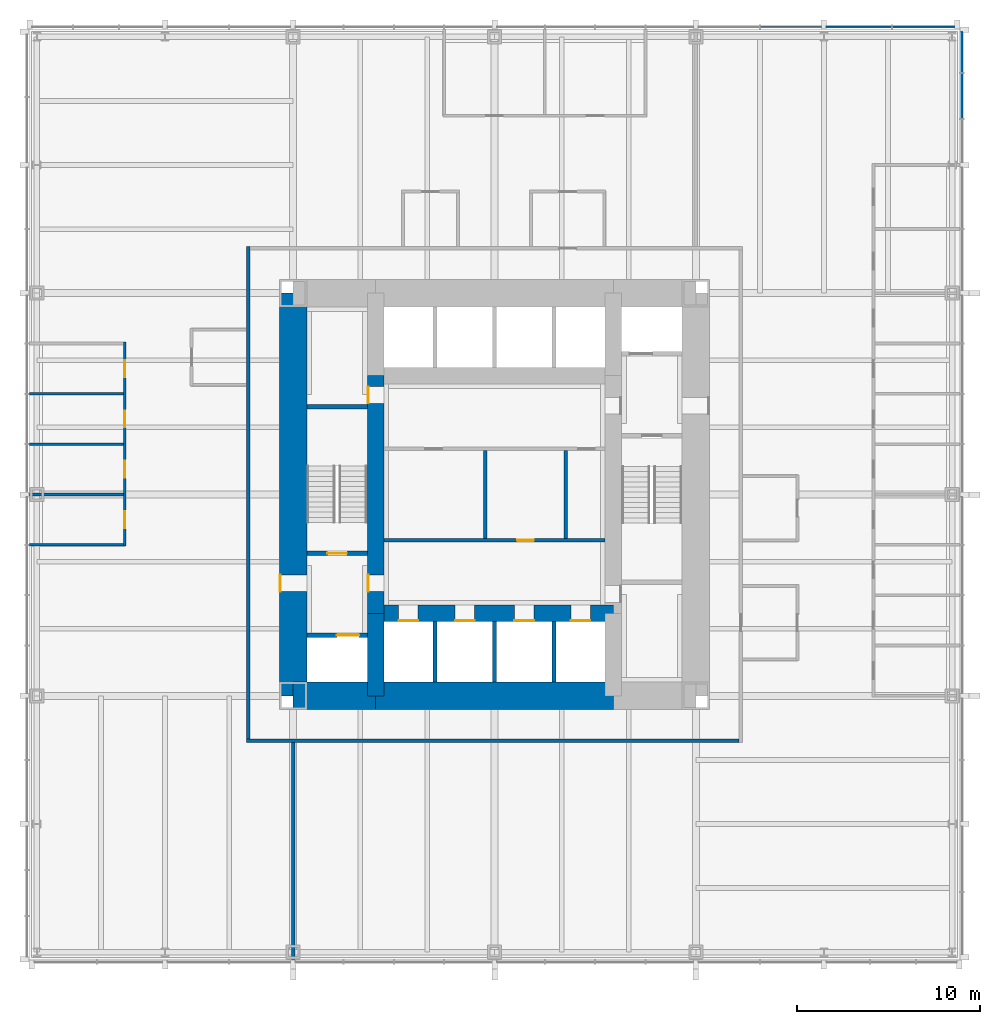
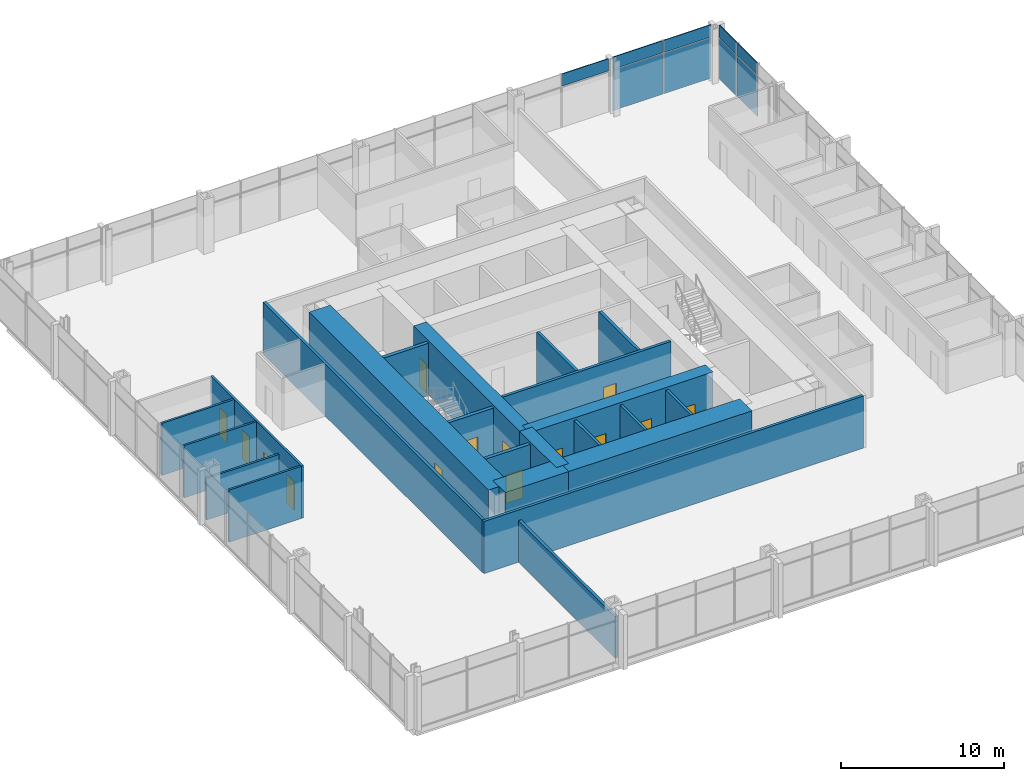
# One storey, part 9 of 12: 23 walls, 14 doors, 9 plates, 14 openings, 2 elements without a shape of their own.
"""IFC4 building model written with IfcOpenShell, lengths in metres."""

from ifc_helpers import new_model, si_unit, direction, frame, frame_2d, origin, origin_2d, place, context, subcontext, project, spatial, rectangle, extrude, material, layer, layer_set, type_object, element, fill, aggregate, save


model = new_model("IFC4")

# Units and contexts
model_context = context("Model", 3, precision=1e-05, world=origin(), true_north=direction((0.0, 1.0)))
body_context = subcontext(model_context, "Body", "Model", "MODEL_VIEW")
ifc_project = project(units=[si_unit("LENGTHUNIT", "METRE"), si_unit("AREAUNIT", "SQUARE_METRE"), si_unit("VOLUMEUNIT", "CUBIC_METRE"), si_unit("PLANEANGLEUNIT", "RADIAN"), si_unit("MASSUNIT", "GRAM", prefix="KILO")], contexts=[model_context])

# Site, building, storey
site_placement = place(None, origin())
site = spatial("IfcSite", under=ifc_project, at=site_placement, CompositionType="ELEMENT")
building_placement = place(site_placement, origin())
building = spatial("IfcBuilding", under=site, at=building_placement, Name="Trevanion Tower", CompositionType="ELEMENT")
storey_placement = place(building_placement, frame((0.0, 0.0, 48.800048828125)))
storey = spatial("IfcBuildingStorey", under=building, at=storey_placement, Name="L11", CompositionType="ELEMENT", Elevation=48.800048828125)

# Curtain wall, plates
ifc_material_1 = material(Name="Aluminium and glass", Category="aluminium")
curtain_wall_type = type_object("IfcCurtainWallType", Name="CW1 curtain wall", PredefinedType="USERDEFINED", material=ifc_material_1)
curtain_wall_1_placement = place(storey_placement, origin())
curtain_wall_1 = element("IfcCurtainWall", 1, at=curtain_wall_1_placement, inside=storey, type_object=curtain_wall_type, Name="CW1 L11 0", ObjectType="UNITISED CURTAIN WALL", PredefinedType="USERDEFINED")
ifc_material_2 = material(Name="Aluminium spandrel panel", Category="aluminium")
ifc_layer_1 = layer(ifc_material_2, 0.06005859375)
ifc_layer_set_1 = layer_set([ifc_layer_1], Name="CW1 spandrel panel")
plate_type_1 = type_object("IfcPlateType", Name="CW1 spandrel panel", PredefinedType="CURTAIN_PANEL", material=ifc_layer_set_1)
plate_1_placement = place(storey_placement, frame((25.550048828125, 21.77490234375, 2.997314453125), z_axis=(0.0, 0.0, 1.0), x_axis=(0.0, 1.0, 0.0)))
plate_1 = element("IfcPlate", 2, at=plate_1_placement, type_object=plate_type_1, Name="CW1 panel 16.2", PredefinedType="CURTAIN_PANEL", context=body_context, shape_type="SweptSolid", body=[
    extrude(rectangle(XDim=2.441650390625, YDim=0.06005859375, at=origin_2d()), origin(), (0.0, 0.0, 1.0), 0.91259765625),
])
plate_2_placement = place(storey_placement, frame((25.550048828125, 24.160400390625, 2.997314453125), z_axis=(0.0, 0.0, 1.0), x_axis=(0.0, 1.0, 0.0)))
plate_2 = element("IfcPlate", 3, at=plate_2_placement, type_object=plate_type_1, Name="CW1 panel 17.2", PredefinedType="CURTAIN_PANEL", context=body_context, shape_type="SweptSolid", body=[
    extrude(rectangle(XDim=2.17919921875, YDim=0.06005859375, at=origin_2d()), origin(), (0.0, 0.0, 1.0), 0.91259765625),
])

curtain_wall_2_placement = place(storey_placement, origin())
curtain_wall_2 = element("IfcCurtainWall", 4, at=curtain_wall_2_placement, inside=storey, type_object=curtain_wall_type, Name="CW1 L11 1", ObjectType="UNITISED CURTAIN WALL", PredefinedType="USERDEFINED")
plate_3_placement = place(storey_placement, frame((23.433837890625, 25.550048828125, 2.997314453125), z_axis=(0.0, 0.0, 1.0), x_axis=(-1.0, 0.0, 0.0)))
plate_3 = element("IfcPlate", 5, at=plate_3_placement, type_object=plate_type_1, Name="CW1 panel 1.2", PredefinedType="CURTAIN_PANEL", context=body_context, shape_type="SweptSolid", body=[
    extrude(rectangle(XDim=3.37255859375, YDim=0.06005859375, at=origin_2d()), origin(), (0.0, 0.0, 1.0), 0.91259765625),
])
plate_4_placement = place(storey_placement, frame((19.911376953125, 25.550048828125, 2.997314453125), z_axis=(0.0, 0.0, 1.0), x_axis=(-1.0, 0.0, 0.0)))
plate_4 = element("IfcPlate", 6, at=plate_4_placement, type_object=plate_type_1, Name="CW1 panel 2.2", PredefinedType="CURTAIN_PANEL", context=body_context, shape_type="SweptSolid", body=[
    extrude(rectangle(XDim=3.5224609375, YDim=0.06005859375, at=origin_2d()), origin(), (0.0, 0.0, 1.0), 0.91259765625),
])
plate_5_placement = place(storey_placement, frame((16.19384765625, 25.550048828125, 2.997314453125), z_axis=(0.0, 0.0, 1.0), x_axis=(-1.0, 0.0, 0.0)))
plate_5 = element("IfcPlate", 7, at=plate_5_placement, type_object=plate_type_1, Name="CW1 panel 3.2", PredefinedType="CURTAIN_PANEL", context=body_context, shape_type="SweptSolid", body=[
    extrude(rectangle(XDim=3.3125, YDim=0.06005859375, at=origin_2d()), origin(), (0.0, 0.0, 1.0), 0.91259765625),
])

# Plate
ifc_material_3 = material(Name="Insulating glass unit", Category="glass")
ifc_layer_2 = layer(ifc_material_3, 0.028076171875)
ifc_layer_set_2 = layer_set([ifc_layer_2], Name="CW1 vision panel")
plate_type_2 = type_object("IfcPlateType", Name="CW1 vision panel", PredefinedType="CURTAIN_PANEL", material=ifc_layer_set_2)
plate_6_placement = place(storey_placement, frame((25.550048828125, 21.77490234375, -0.115234375), z_axis=(0.0, 0.0, 1.0), x_axis=(0.0, 1.0, 0.0)))
plate_6 = element("IfcPlate", 8, at=plate_6_placement, type_object=plate_type_2, Name="CW1 panel 16.1", PredefinedType="CURTAIN_PANEL", context=body_context, shape_type="SweptSolid", body=[
    extrude(rectangle(XDim=2.441650390625, YDim=0.028076171875, at=origin_2d()), origin(), (0.0, 0.0, 1.0), 3.03759765625),
])

plate_7_placement = place(storey_placement, frame((25.550048828125, 24.160400390625, -0.115234375), z_axis=(0.0, 0.0, 1.0), x_axis=(0.0, 1.0, 0.0)))
plate_7 = element("IfcPlate", 9, at=plate_7_placement, type_object=plate_type_2, Name="CW1 panel 17.1", PredefinedType="CURTAIN_PANEL", context=body_context, shape_type="SweptSolid", body=[
    extrude(rectangle(XDim=2.17919921875, YDim=0.028076171875, at=origin_2d()), origin(), (0.0, 0.0, 1.0), 3.03759765625),
])

aggregate(curtain_wall_1, [plate_6, plate_1, plate_7, plate_2])

plate_8_placement = place(storey_placement, frame((23.433837890625, 25.550048828125, -0.115234375), z_axis=(0.0, 0.0, 1.0), x_axis=(-1.0, 0.0, 0.0)))
plate_8 = element("IfcPlate", 10, at=plate_8_placement, type_object=plate_type_2, Name="CW1 panel 1.1", PredefinedType="CURTAIN_PANEL", context=body_context, shape_type="SweptSolid", body=[
    extrude(rectangle(XDim=3.37255859375, YDim=0.028076171875, at=origin_2d()), origin(), (0.0, 0.0, 1.0), 3.03759765625),
])

plate_9_placement = place(storey_placement, frame((19.911376953125, 25.550048828125, -0.115234375), z_axis=(0.0, 0.0, 1.0), x_axis=(-1.0, 0.0, 0.0)))
plate_9 = element("IfcPlate", 11, at=plate_9_placement, type_object=plate_type_2, Name="CW1 panel 2.1", PredefinedType="CURTAIN_PANEL", context=body_context, shape_type="SweptSolid", body=[
    extrude(rectangle(XDim=3.5224609375, YDim=0.028076171875, at=origin_2d()), origin(), (0.0, 0.0, 1.0), 3.03759765625),
])

aggregate(curtain_wall_2, [plate_8, plate_3, plate_9, plate_4, plate_5])

# Wall, opening, door
ifc_material_4 = material(Name="Concrete 10,000 psi", Category="concrete")
ifc_layer_3 = layer(ifc_material_4, 1.5)
ifc_layer_set_3 = layer_set([ifc_layer_3], Name="CW1 core wall 1500")
wall_type_1 = type_object("IfcWallType", Name="CW1 core wall 1500", PredefinedType="SHEAR", material=ifc_layer_set_3)
wall_1_placement = place(storey_placement, frame((-11.0, 11.0, 0.0), z_axis=(0.0, 0.0, 1.0), x_axis=(0.0, -1.0, 0.0)))
wall_1 = element("IfcWall", 12, at=wall_1_placement, inside=storey, type_object=wall_type_1, Name="CW1 CW L11", PredefinedType="SHEAR", context=body_context, shape_type="SweptSolid", body=[
    extrude(rectangle(XDim=22.0, YDim=1.5, at=frame_2d((11.0, 0.0))), origin(), (0.0, 0.0, 1.0), 4.099853515625),
])
opening_1_placement = place(wall_1_placement, frame((15.392578125, 0.0, 0.0)))
opening_1 = element("IfcOpeningElement", 13, at=opening_1_placement, cuts=wall_1, Name="Opening 11-002", PredefinedType="OPENING", context=body_context, shape_type="SweptSolid", body=[
    extrude(rectangle(XDim=0.9150390625, YDim=2.134033203125, at=frame_2d((0.45751953125, 1.06689453125))), frame((0.0, 0.760009765625, 0.0), z_axis=(0.0, -1.0, 0.0), x_axis=(1.0, 0.0, 0.0)), (0.0, 0.0, 1.0), 1.52001953125),
])
ifc_material_5 = material(Name="Hollow metal, fire rated", Category="steel")
door_type_1 = type_object("IfcDoorType", Name="D3 fire lift lobby door", OperationType="SINGLE_SWING_RIGHT", PredefinedType="DOOR", material=ifc_material_5)
door_1_placement = place(opening_1_placement, origin())
door_1 = element("IfcDoor", 14, at=door_1_placement, inside=storey, type_object=door_type_1, Name="Door 11-002", OperationType="SINGLE_SWING_RIGHT", OverallHeight=2.134033203125, OverallWidth=0.9150390625, PredefinedType="DOOR", context=body_context, shape_type="SweptSolid", body=[
    extrude(rectangle(XDim=0.9150390625, YDim=2.134033203125, at=frame_2d((0.45751953125, 1.06689453125))), frame((0.0, -0.6748046875, 0.0), z_axis=(0.0, -1.0, 0.0), x_axis=(1.0, 0.0, 0.0)), (0.0, 0.0, 1.0), 0.050048828125),
])
fill(opening_1, door_1)

# Walls
wall_2_placement = place(storey_placement, frame((-11.0, -11.0, 0.0), z_axis=(0.0, 0.0, 1.0), x_axis=(1.0, 0.0, 0.0)))
element("IfcWall", 15, at=wall_2_placement, inside=storey, type_object=wall_type_1, Name="CW1 CS1 L11", PredefinedType="SHEAR", context=body_context, shape_type="SweptSolid", body=[
    extrude(rectangle(XDim=4.5, YDim=1.5, at=frame_2d((2.25, 0.0))), origin(), (0.0, 0.0, 1.0), 4.099853515625),
])
wall_3_placement = place(storey_placement, frame((-6.5, -11.0, 0.0), z_axis=(0.0, 0.0, 1.0), x_axis=(1.0, 0.0, 0.0)))
element("IfcWall", 16, at=wall_3_placement, inside=storey, type_object=wall_type_1, Name="CW1 CS2 L11", PredefinedType="SHEAR", context=body_context, shape_type="SweptSolid", body=[
    extrude(rectangle(XDim=13.0, YDim=1.5, at=frame_2d((6.5, 0.0))), origin(), (0.0, 0.0, 1.0), 4.099853515625),
])

# Wall, openings, doors
ifc_material_6 = material(Name="Concrete 10,000 psi", Category="concrete")
ifc_layer_4 = layer(ifc_material_6, 0.89990234375)
ifc_layer_set_4 = layer_set([ifc_layer_4], Name="CW2 core wall 900")
wall_type_2 = type_object("IfcWallType", Name="CW2 core wall 900", PredefinedType="SHEAR", material=ifc_layer_set_4)
wall_4_placement = place(storey_placement, frame((-6.5, 6.5, 0.0), z_axis=(0.0, 0.0, 1.0), x_axis=(0.0, -1.0, 0.0)))
wall_4 = element("IfcWall", 17, at=wall_4_placement, inside=storey, type_object=wall_type_2, Name="CW2 RW2 L11", PredefinedType="SHEAR", context=body_context, shape_type="SweptSolid", body=[
    extrude(rectangle(XDim=13.0, YDim=0.89990234375, at=frame_2d((6.5, 0.0))), origin(), (0.0, 0.0, 1.0), 4.099853515625),
])
opening_2_placement = place(wall_4_placement, frame((10.892578125, 0.0, 0.0)))
opening_2 = element("IfcOpeningElement", 18, at=opening_2_placement, cuts=wall_4, Name="Opening 11-004", PredefinedType="OPENING", context=body_context, shape_type="SweptSolid", body=[
    extrude(rectangle(XDim=0.9150390625, YDim=2.134033203125, at=frame_2d((0.45751953125, 1.06689453125))), frame((0.0, 0.4599609375, 0.0), z_axis=(0.0, -1.0, 0.0), x_axis=(1.0, 0.0, 0.0)), (0.0, 0.0, 1.0), 0.919921875),
])
opening_3_placement = place(wall_4_placement, frame((0.610107421875, 0.0, 0.0)))
opening_3 = element("IfcOpeningElement", 19, at=opening_3_placement, cuts=wall_4, Name="Opening 11-010", PredefinedType="OPENING", context=body_context, shape_type="SweptSolid", body=[
    extrude(rectangle(XDim=0.9150390625, YDim=2.134033203125, at=frame_2d((0.45751953125, 1.06689453125))), frame((0.0, 0.4599609375, 0.0), z_axis=(0.0, -1.0, 0.0), x_axis=(1.0, 0.0, 0.0)), (0.0, 0.0, 1.0), 0.919921875),
])
door_2_placement = place(opening_2_placement, origin())
door_2 = element("IfcDoor", 20, at=door_2_placement, inside=storey, type_object=door_type_1, Name="Door 11-004", OperationType="SINGLE_SWING_RIGHT", OverallHeight=2.134033203125, OverallWidth=0.9150390625, PredefinedType="DOOR", context=body_context, shape_type="SweptSolid", body=[
    extrude(rectangle(XDim=0.9150390625, YDim=2.134033203125, at=frame_2d((0.45751953125, 1.06689453125))), frame((0.0, -0.375, 0.0), z_axis=(0.0, -1.0, 0.0), x_axis=(1.0, 0.0, 0.0)), (0.0, 0.0, 1.0), 0.050048828125),
])
fill(opening_2, door_2)
ifc_material_7 = material(Name="Hollow metal, fire rated", Category="steel")
door_type_2 = type_object("IfcDoorType", Name="D5 service room door", OperationType="SINGLE_SWING_RIGHT", PredefinedType="DOOR", material=ifc_material_7)
door_3_placement = place(opening_3_placement, origin())
door_3 = element("IfcDoor", 21, at=door_3_placement, inside=storey, type_object=door_type_2, Name="Door 11-010", OperationType="SINGLE_SWING_RIGHT", OverallHeight=2.134033203125, OverallWidth=0.9150390625, PredefinedType="DOOR", context=body_context, shape_type="SweptSolid", body=[
    extrude(rectangle(XDim=0.9150390625, YDim=2.134033203125, at=frame_2d((0.45751953125, 1.06689453125))), frame((0.0, -0.375, 0.0), z_axis=(0.0, -1.0, 0.0), x_axis=(1.0, 0.0, 0.0)), (0.0, 0.0, 1.0), 0.050048828125),
])
fill(opening_3, door_3)

# Wall
wall_5_placement = place(storey_placement, frame((-6.5, -6.5, 0.0), z_axis=(0.0, 0.0, 1.0), x_axis=(0.0, -1.0, 0.0)))
element("IfcWall", 22, at=wall_5_placement, inside=storey, type_object=wall_type_2, Name="CW2 RW3 L11", PredefinedType="SHEAR", context=body_context, shape_type="SweptSolid", body=[
    extrude(rectangle(XDim=4.5, YDim=0.89990234375, at=frame_2d((2.25, 0.0))), origin(), (0.0, 0.0, 1.0), 4.099853515625),
])

# Wall, openings, doors
wall_6_placement = place(storey_placement, frame((-6.5, -6.5, 0.0), z_axis=(0.0, 0.0, 1.0), x_axis=(1.0, 0.0, 0.0)))
wall_6 = element("IfcWall", 23, at=wall_6_placement, inside=storey, type_object=wall_type_2, Name="CW2 RS L11", PredefinedType="SHEAR", context=body_context, shape_type="SweptSolid", body=[
    extrude(rectangle(XDim=13.0, YDim=0.89990234375, at=frame_2d((6.5, 0.0))), origin(), (0.0, 0.0, 1.0), 4.099853515625),
])
opening_4_placement = place(wall_6_placement, frame((1.2666015625, 0.0, 0.0)))
opening_4 = element("IfcOpeningElement", 24, at=opening_4_placement, cuts=wall_6, Name="Opening 11-011", PredefinedType="OPENING", context=body_context, shape_type="SweptSolid", body=[
    extrude(rectangle(XDim=1.06689453125, YDim=2.134033203125, at=frame_2d((0.533447265625, 1.06689453125))), frame((0.0, 0.4599609375, 0.0), z_axis=(0.0, -1.0, 0.0), x_axis=(1.0, 0.0, 0.0)), (0.0, 0.0, 1.0), 0.919921875),
])
opening_5_placement = place(wall_6_placement, frame((4.341552734375, 0.0, 0.0)))
opening_5 = element("IfcOpeningElement", 25, at=opening_5_placement, cuts=wall_6, Name="Opening 11-012", PredefinedType="OPENING", context=body_context, shape_type="SweptSolid", body=[
    extrude(rectangle(XDim=1.06689453125, YDim=2.134033203125, at=frame_2d((0.533447265625, 1.06689453125))), frame((0.0, 0.4599609375, 0.0), z_axis=(0.0, -1.0, 0.0), x_axis=(1.0, 0.0, 0.0)), (0.0, 0.0, 1.0), 0.919921875),
])
opening_6_placement = place(wall_6_placement, frame((7.591552734375, 0.0, 0.0)))
opening_6 = element("IfcOpeningElement", 26, at=opening_6_placement, cuts=wall_6, Name="Opening 11-013", PredefinedType="OPENING", context=body_context, shape_type="SweptSolid", body=[
    extrude(rectangle(XDim=1.06689453125, YDim=2.134033203125, at=frame_2d((0.533447265625, 1.06689453125))), frame((0.0, 0.4599609375, 0.0), z_axis=(0.0, -1.0, 0.0), x_axis=(1.0, 0.0, 0.0)), (0.0, 0.0, 1.0), 0.919921875),
])
opening_7_placement = place(wall_6_placement, frame((10.66650390625, 0.0, 0.0)))
opening_7 = element("IfcOpeningElement", 27, at=opening_7_placement, cuts=wall_6, Name="Opening 11-014", PredefinedType="OPENING", context=body_context, shape_type="SweptSolid", body=[
    extrude(rectangle(XDim=1.06689453125, YDim=2.134033203125, at=frame_2d((0.533447265625, 1.06689453125))), frame((0.0, 0.4599609375, 0.0), z_axis=(0.0, -1.0, 0.0), x_axis=(1.0, 0.0, 0.0)), (0.0, 0.0, 1.0), 0.919921875),
])
ifc_material_8 = material(Name="Stainless steel, fire rated", Category="steel")
door_type_3 = type_object("IfcDoorType", Name="LD1 lift landing door", OperationType="SLIDING_TO_LEFT", PredefinedType="DOOR", material=ifc_material_8)
door_4_placement = place(opening_4_placement, origin())
door_4 = element("IfcDoor", 28, at=door_4_placement, inside=storey, type_object=door_type_3, Name="Door 11-011", OperationType="SLIDING_TO_LEFT", OverallHeight=2.134033203125, OverallWidth=1.06689453125, PredefinedType="DOOR", context=body_context, shape_type="SweptSolid", body=[
    extrude(rectangle(XDim=1.06689453125, YDim=2.134033203125, at=frame_2d((0.533447265625, 1.06689453125))), frame((0.0, -0.375, 0.0), z_axis=(0.0, -1.0, 0.0), x_axis=(1.0, 0.0, 0.0)), (0.0, 0.0, 1.0), 0.050048828125),
])
fill(opening_4, door_4)
door_5_placement = place(opening_5_placement, origin())
door_5 = element("IfcDoor", 29, at=door_5_placement, inside=storey, type_object=door_type_3, Name="Door 11-012", OperationType="SLIDING_TO_LEFT", OverallHeight=2.134033203125, OverallWidth=1.06689453125, PredefinedType="DOOR", context=body_context, shape_type="SweptSolid", body=[
    extrude(rectangle(XDim=1.06689453125, YDim=2.134033203125, at=frame_2d((0.533447265625, 1.06689453125))), frame((0.0, -0.375, 0.0), z_axis=(0.0, -1.0, 0.0), x_axis=(1.0, 0.0, 0.0)), (0.0, 0.0, 1.0), 0.050048828125),
])
fill(opening_5, door_5)
door_6_placement = place(opening_6_placement, origin())
door_6 = element("IfcDoor", 30, at=door_6_placement, inside=storey, type_object=door_type_3, Name="Door 11-013", OperationType="SLIDING_TO_LEFT", OverallHeight=2.134033203125, OverallWidth=1.06689453125, PredefinedType="DOOR", context=body_context, shape_type="SweptSolid", body=[
    extrude(rectangle(XDim=1.06689453125, YDim=2.134033203125, at=frame_2d((0.533447265625, 1.06689453125))), frame((0.0, -0.375, 0.0), z_axis=(0.0, -1.0, 0.0), x_axis=(1.0, 0.0, 0.0)), (0.0, 0.0, 1.0), 0.050048828125),
])
fill(opening_6, door_6)
door_7_placement = place(opening_7_placement, origin())
door_7 = element("IfcDoor", 31, at=door_7_placement, inside=storey, type_object=door_type_3, Name="Door 11-014", OperationType="SLIDING_TO_LEFT", OverallHeight=2.134033203125, OverallWidth=1.06689453125, PredefinedType="DOOR", context=body_context, shape_type="SweptSolid", body=[
    extrude(rectangle(XDim=1.06689453125, YDim=2.134033203125, at=frame_2d((0.533447265625, 1.06689453125))), frame((0.0, -0.375, 0.0), z_axis=(0.0, -1.0, 0.0), x_axis=(1.0, 0.0, 0.0)), (0.0, 0.0, 1.0), 0.050048828125),
])
fill(opening_7, door_7)

ifc_material_9 = material(Name="Gypsum board on steel studs", Category="steel")
ifc_layer_5 = layer(ifc_material_9, 0.14990234375)
ifc_layer_set_5 = layer_set([ifc_layer_5], Name="PT1 partition 150")
wall_type_3 = type_object("IfcWallType", Name="PT1 partition 150", PredefinedType="PARTITIONING", material=ifc_layer_set_5)
wall_7_placement = place(storey_placement, frame((-20.199951171875, 8.324951171875, 0.0), z_axis=(0.0, 0.0, 1.0), x_axis=(0.0, -1.0, 0.0)))
wall_7 = element("IfcWall", 32, at=wall_7_placement, inside=storey, type_object=wall_type_3, Name="PT1 L11 FC2F", PredefinedType="PARTITIONING", context=body_context, shape_type="SweptSolid", body=[
    extrude(rectangle(XDim=11.14990234375, YDim=0.14990234375, at=frame_2d((5.574951171875, 0.0))), origin(), (0.0, 0.0, 1.0), 3.909912109375),
])
opening_8_placement = place(wall_7_placement, frame((0.992431640625, 0.0, 0.0)))
opening_8 = element("IfcOpeningElement", 33, at=opening_8_placement, cuts=wall_7, Name="Opening 11-028", PredefinedType="OPENING", context=body_context, shape_type="SweptSolid", body=[
    extrude(rectangle(XDim=0.9150390625, YDim=2.134033203125, at=frame_2d((0.45751953125, 1.06689453125))), frame((0.0, 0.0849609375, 0.0), z_axis=(0.0, -1.0, 0.0), x_axis=(1.0, 0.0, 0.0)), (0.0, 0.0, 1.0), 0.169921875),
])
opening_9_placement = place(wall_7_placement, frame((3.742431640625, 0.0, 0.0)))
opening_9 = element("IfcOpeningElement", 34, at=opening_9_placement, cuts=wall_7, Name="Opening 11-029", PredefinedType="OPENING", context=body_context, shape_type="SweptSolid", body=[
    extrude(rectangle(XDim=0.9150390625, YDim=2.134033203125, at=frame_2d((0.45751953125, 1.06689453125))), frame((0.0, 0.0849609375, 0.0), z_axis=(0.0, -1.0, 0.0), x_axis=(1.0, 0.0, 0.0)), (0.0, 0.0, 1.0), 0.169921875),
])
opening_10_placement = place(wall_7_placement, frame((6.492431640625, 0.0, 0.0)))
opening_10 = element("IfcOpeningElement", 35, at=opening_10_placement, cuts=wall_7, Name="Opening 11-030", PredefinedType="OPENING", context=body_context, shape_type="SweptSolid", body=[
    extrude(rectangle(XDim=0.9150390625, YDim=2.134033203125, at=frame_2d((0.45751953125, 1.06689453125))), frame((0.0, 0.0849609375, 0.0), z_axis=(0.0, -1.0, 0.0), x_axis=(1.0, 0.0, 0.0)), (0.0, 0.0, 1.0), 0.169921875),
])
opening_11_placement = place(wall_7_placement, frame((9.242431640625, 0.0, 0.0)))
opening_11 = element("IfcOpeningElement", 36, at=opening_11_placement, cuts=wall_7, Name="Opening 11-031", PredefinedType="OPENING", context=body_context, shape_type="SweptSolid", body=[
    extrude(rectangle(XDim=0.9150390625, YDim=2.134033203125, at=frame_2d((0.45751953125, 1.06689453125))), frame((0.0, 0.0849609375, 0.0), z_axis=(0.0, -1.0, 0.0), x_axis=(1.0, 0.0, 0.0)), (0.0, 0.0, 1.0), 0.169921875),
])
ifc_material_10 = material(Name="Timber veneer, solid core", Category="wood")
door_type_4 = type_object("IfcDoorType", Name="D1 office and meeting room door", OperationType="SINGLE_SWING_LEFT", PredefinedType="DOOR", material=ifc_material_10)
door_8_placement = place(opening_8_placement, origin())
door_8 = element("IfcDoor", 37, at=door_8_placement, inside=storey, type_object=door_type_4, Name="Door 11-028", OperationType="SINGLE_SWING_LEFT", OverallHeight=2.134033203125, OverallWidth=0.9150390625, PredefinedType="DOOR", context=body_context, shape_type="SweptSolid", body=[
    extrude(rectangle(XDim=0.9150390625, YDim=2.134033203125, at=frame_2d((0.45751953125, 1.06689453125))), frame((0.0, 0.02490234375, 0.0), z_axis=(0.0, -1.0, 0.0), x_axis=(1.0, 0.0, 0.0)), (0.0, 0.0, 1.0), 0.050048828125),
])
fill(opening_8, door_8)
door_9_placement = place(opening_9_placement, origin())
door_9 = element("IfcDoor", 38, at=door_9_placement, inside=storey, type_object=door_type_4, Name="Door 11-029", OperationType="SINGLE_SWING_LEFT", OverallHeight=2.134033203125, OverallWidth=0.9150390625, PredefinedType="DOOR", context=body_context, shape_type="SweptSolid", body=[
    extrude(rectangle(XDim=0.9150390625, YDim=2.134033203125, at=frame_2d((0.45751953125, 1.06689453125))), frame((0.0, 0.02490234375, 0.0), z_axis=(0.0, -1.0, 0.0), x_axis=(1.0, 0.0, 0.0)), (0.0, 0.0, 1.0), 0.050048828125),
])
fill(opening_9, door_9)
door_10_placement = place(opening_10_placement, origin())
door_10 = element("IfcDoor", 39, at=door_10_placement, inside=storey, type_object=door_type_4, Name="Door 11-030", OperationType="SINGLE_SWING_LEFT", OverallHeight=2.134033203125, OverallWidth=0.9150390625, PredefinedType="DOOR", context=body_context, shape_type="SweptSolid", body=[
    extrude(rectangle(XDim=0.9150390625, YDim=2.134033203125, at=frame_2d((0.45751953125, 1.06689453125))), frame((0.0, 0.02490234375, 0.0), z_axis=(0.0, -1.0, 0.0), x_axis=(1.0, 0.0, 0.0)), (0.0, 0.0, 1.0), 0.050048828125),
])
fill(opening_10, door_10)
door_11_placement = place(opening_11_placement, origin())
door_11 = element("IfcDoor", 40, at=door_11_placement, inside=storey, type_object=door_type_4, Name="Door 11-031", OperationType="SINGLE_SWING_LEFT", OverallHeight=2.134033203125, OverallWidth=0.9150390625, PredefinedType="DOOR", context=body_context, shape_type="SweptSolid", body=[
    extrude(rectangle(XDim=0.9150390625, YDim=2.134033203125, at=frame_2d((0.45751953125, 1.06689453125))), frame((0.0, 0.02490234375, 0.0), z_axis=(0.0, -1.0, 0.0), x_axis=(1.0, 0.0, 0.0)), (0.0, 0.0, 1.0), 0.050048828125),
])
fill(opening_11, door_11)

# Walls
for number, where, z_axis, x_axis, name in (
    (41, (-20.27490234375, 5.5, 0.0), (0.0, 0.0, 1.0), (-1.0, 0.0, 0.0), "PT1 L11 FC2S1"),
    (42, (-20.27490234375, 2.75, 0.0), (0.0, 0.0, 1.0), (-1.0, 0.0, 0.0), "PT1 L11 FC2S2"),
):
    element("IfcWall", number, at=place(storey_placement, frame(where, z_axis=z_axis, x_axis=x_axis)), inside=storey, type_object=wall_type_3, Name=name, PredefinedType="PARTITIONING", context=body_context, shape_type="SweptSolid", body=[
        extrude(rectangle(XDim=5.14013671875, YDim=0.14990234375, at=frame_2d((2.570068359375, 0.0))), origin(), (0.0, 0.0, 1.0), 3.909912109375),
    ])
wall_8_placement = place(storey_placement, frame((-20.27490234375, 0.0, 0.0), z_axis=(0.0, 0.0, 1.0), x_axis=(-1.0, 0.0, 0.0)))
element("IfcWall", 43, at=wall_8_placement, inside=storey, type_object=wall_type_3, Name="PT1 L11 FC2S3", PredefinedType="PARTITIONING", context=body_context, shape_type="SweptSolid", body=[
    extrude(rectangle(XDim=5.14013671875, YDim=0.14990234375, at=frame_2d((2.570068359375, 0.0))), origin(), (0.0, 0.0, 1.0), 3.130126953125),
])
wall_9_placement = place(storey_placement, frame((-20.27490234375, -2.75, 0.0), z_axis=(0.0, 0.0, 1.0), x_axis=(-1.0, 0.0, 0.0)))
element("IfcWall", 44, at=wall_9_placement, inside=storey, type_object=wall_type_3, Name="PT1 L11 FC2S4", PredefinedType="PARTITIONING", context=body_context, shape_type="SweptSolid", body=[
    extrude(rectangle(XDim=5.14013671875, YDim=0.14990234375, at=frame_2d((2.570068359375, 0.0))), origin(), (0.0, 0.0, 1.0), 3.909912109375),
])
ifc_material_11 = material(Name="Concrete masonry, grouted", Category="masonry")
ifc_layer_6 = layer(ifc_material_11, 0.199951171875)
ifc_layer_set_6 = layer_set([ifc_layer_6], Name="PT2 partition 200")
wall_type_4 = type_object("IfcWallType", Name="PT2 partition 200", PredefinedType="PARTITIONING", material=ifc_layer_set_6)
for number, where, z_axis, x_axis, name in (
    (45, (-0.5, -2.39990234375, 0.0), (0.0, 0.0, 1.0), (0.0, 1.0, 0.0), "PT2 L11 TP1"),
    (46, (3.89990234375, -2.39990234375, 0.0), (0.0, 0.0, 1.0), (0.0, 1.0, 0.0), "PT2 L11 TP2"),
):
    element("IfcWall", number, at=place(storey_placement, frame(where, z_axis=z_axis, x_axis=x_axis)), inside=storey, type_object=wall_type_4, Name=name, PredefinedType="PARTITIONING", context=body_context, shape_type="SweptSolid", body=[
        extrude(rectangle(XDim=4.7998046875, YDim=0.199951171875, at=frame_2d((2.39990234375, 0.0))), origin(), (0.0, 0.0, 1.0), 3.909912109375),
    ])

# Wall, opening, door
ifc_material_12 = material(Name="Concrete masonry, grouted", Category="masonry")
ifc_layer_7 = layer(ifc_material_12, 0.199951171875)
ifc_layer_set_7 = layer_set([ifc_layer_7], Name="PT2 partition 200 1 HR")
wall_type_5 = type_object("IfcWallType", Name="PT2 partition 200 1 HR", PredefinedType="PARTITIONING", material=ifc_layer_set_7)
wall_10_placement = place(storey_placement, frame((6.050048828125, -2.5, 0.0), z_axis=(0.0, 0.0, 1.0), x_axis=(-1.0, 0.0, 0.0)))
wall_10 = element("IfcWall", 47, at=wall_10_placement, inside=storey, type_object=wall_type_5, Name="PT2 L11 CP2", PredefinedType="PARTITIONING", context=body_context, shape_type="SweptSolid", body=[
    extrude(rectangle(XDim=12.10009765625, YDim=0.199951171875, at=frame_2d((6.050048828125, 0.0))), origin(), (0.0, 0.0, 1.0), 3.909912109375),
])
opening_12_placement = place(wall_10_placement, frame((3.892578125, 0.0, 0.0)))
opening_12 = element("IfcOpeningElement", 48, at=opening_12_placement, cuts=wall_10, Name="Opening 11-016", PredefinedType="OPENING", context=body_context, shape_type="SweptSolid", body=[
    extrude(rectangle(XDim=0.9150390625, YDim=2.134033203125, at=frame_2d((0.45751953125, 1.06689453125))), frame((0.0, 0.10986328125, 0.0), z_axis=(0.0, -1.0, 0.0), x_axis=(1.0, 0.0, 0.0)), (0.0, 0.0, 1.0), 0.219970703125),
])
ifc_material_13 = material(Name="Plastic laminate on fire-rated core", Category="wood")
door_type_5 = type_object("IfcDoorType", Name="D12 toilet door in a one hour wall", OperationType="SINGLE_SWING_LEFT", PredefinedType="DOOR", material=ifc_material_13)
door_12_placement = place(opening_12_placement, origin())
door_12 = element("IfcDoor", 49, at=door_12_placement, inside=storey, type_object=door_type_5, Name="Door 11-016", OperationType="SINGLE_SWING_LEFT", OverallHeight=2.134033203125, OverallWidth=0.9150390625, PredefinedType="DOOR", context=body_context, shape_type="SweptSolid", body=[
    extrude(rectangle(XDim=0.9150390625, YDim=2.134033203125, at=frame_2d((0.45751953125, 1.06689453125))), frame((0.0, 0.02490234375, 0.0), z_axis=(0.0, -1.0, 0.0), x_axis=(1.0, 0.0, 0.0)), (0.0, 0.0, 1.0), 0.050048828125),
])
fill(opening_12, door_12)

# Walls
for number, where, z_axis, x_axis, name in (
    (50, (-13.449951171875, 13.550048828125, 0.0), (0.0, 0.0, 1.0), (0.0, -1.0, 0.0), "PT2 L11 OC2"),
    (51, (-13.550048828125, -13.449951171875, 0.0), (0.0, 0.0, 1.0), (1.0, 0.0, 0.0), "PT2 L11 OC3"),
):
    element("IfcWall", number, at=place(storey_placement, frame(where, z_axis=z_axis, x_axis=x_axis)), inside=storey, type_object=wall_type_5, Name=name, PredefinedType="PARTITIONING", context=body_context, shape_type="SweptSolid", body=[
        extrude(rectangle(XDim=26.900146484375, YDim=0.199951171875, at=frame_2d((13.4501953125, 0.0))), origin(), (0.0, 0.0, 1.0), 3.909912109375),
    ])
wall_11_placement = place(storey_placement, frame((-11.0, -13.550048828125, 0.0), z_axis=(0.0, 0.0, 1.0), x_axis=(0.0, -1.0, 0.0)))
element("IfcWall", 52, at=wall_11_placement, inside=storey, type_object=wall_type_5, Name="PT2 L11 DM2", PredefinedType="PARTITIONING", context=body_context, shape_type="SweptSolid", body=[
    extrude(rectangle(XDim=11.864990234375, YDim=0.199951171875, at=frame_2d((5.9326171875, 0.0))), origin(), (0.0, 0.0, 1.0), 3.130126953125),
])
ifc_material_14 = material(Name="Concrete masonry, grouted", Category="masonry")
ifc_layer_8 = layer(ifc_material_14, 0.199951171875)
ifc_layer_set_8 = layer_set([ifc_layer_8], Name="PT2 partition 200 2 HR")
wall_type_6 = type_object("IfcWallType", Name="PT2 partition 200 2 HR", PredefinedType="PARTITIONING", material=ifc_layer_set_8)
for number, where, z_axis, x_axis, name in (
    (53, (-3.25, -10.25, 0.0), (0.0, 0.0, 1.0), (0.0, 1.0, 0.0), "PT2 L11 SS0"),
    (54, (0.0, -10.25, 0.0), (0.0, 0.0, 1.0), (0.0, 1.0, 0.0), "PT2 L11 SS1"),
    (55, (3.25, -10.25, 0.0), (0.0, 0.0, 1.0), (0.0, 1.0, 0.0), "PT2 L11 SS2"),
):
    element("IfcWall", number, at=place(storey_placement, frame(where, z_axis=z_axis, x_axis=x_axis)), inside=storey, type_object=wall_type_6, Name=name, PredefinedType="PARTITIONING", context=body_context, shape_type="SweptSolid", body=[
        extrude(rectangle(XDim=3.300048828125, YDim=0.199951171875, at=frame_2d((1.64990234375, 0.0))), origin(), (0.0, 0.0, 1.0), 3.909912109375),
    ])

# Wall, opening, door
ifc_material_15 = material(Name="Concrete masonry, grouted, two-hour", Category="masonry")
ifc_layer_9 = layer(ifc_material_15, 0.25)
ifc_layer_set_9 = layer_set([ifc_layer_9], Name="PT3 partition 250 2 HR")
wall_type_7 = type_object("IfcWallType", Name="PT3 partition 250 2 HR", PredefinedType="PARTITIONING", material=ifc_layer_set_9)
wall_12_placement = place(storey_placement, frame((-6.949951171875, -7.699951171875, 0.0), z_axis=(0.0, 0.0, 1.0), x_axis=(-1.0, 0.0, 0.0)))
wall_12 = element("IfcWall", 56, at=wall_12_placement, inside=storey, type_object=wall_type_7, Name="PT3 L11 WP3", PredefinedType="PARTITIONING", context=body_context, shape_type="SweptSolid", body=[
    extrude(rectangle(XDim=3.300048828125, YDim=0.25, at=frame_2d((1.64990234375, 0.0))), origin(), (0.0, 0.0, 1.0), 3.909912109375),
])
opening_13_placement = place(wall_12_placement, frame((0.449951171875, 0.0, 0.0)))
opening_13 = element("IfcOpeningElement", 57, at=opening_13_placement, cuts=wall_12, Name="Opening 11-008", PredefinedType="OPENING", context=body_context, shape_type="SweptSolid", body=[
    extrude(rectangle(XDim=1.218994140625, YDim=2.134033203125, at=frame_2d((0.609375, 1.06689453125))), frame((0.0, 0.135009765625, 0.0), z_axis=(0.0, -1.0, 0.0), x_axis=(1.0, 0.0, 0.0)), (0.0, 0.0, 1.0), 0.27001953125),
])
ifc_material_16 = material(Name="Stainless steel, fire rated", Category="steel")
door_type_6 = type_object("IfcDoorType", Name="LD2 fire service lift landing door", OperationType="SLIDING_TO_LEFT", PredefinedType="DOOR", material=ifc_material_16)
door_13_placement = place(opening_13_placement, origin())
door_13 = element("IfcDoor", 58, at=door_13_placement, inside=storey, type_object=door_type_6, Name="Door 11-008", OperationType="SLIDING_TO_LEFT", OverallHeight=2.134033203125, OverallWidth=1.218994140625, PredefinedType="DOOR", context=body_context, shape_type="SweptSolid", body=[
    extrude(rectangle(XDim=1.218994140625, YDim=2.134033203125, at=frame_2d((0.609375, 1.06689453125))), frame((0.0, 0.02490234375, 0.0), z_axis=(0.0, -1.0, 0.0), x_axis=(1.0, 0.0, 0.0)), (0.0, 0.0, 1.0), 0.050048828125),
])
fill(opening_13, door_13)

# Wall
ifc_material_17 = material(Name="Reinforced masonry, fully grouted", Category="masonry")
ifc_layer_10 = layer(ifc_material_17, 0.25)
ifc_layer_set_10 = layer_set([ifc_layer_10], Name="SW1 stair shaft wall 250")
wall_type_8 = type_object("IfcWallType", Name="SW1 stair shaft wall 250", PredefinedType="SOLIDWALL", material=ifc_layer_set_10)
wall_13_placement = place(storey_placement, frame((-6.949951171875, 4.800048828125, 0.0), z_axis=(0.0, 0.0, 1.0), x_axis=(-1.0, 0.0, 0.0)))
element("IfcWall", 59, at=wall_13_placement, inside=storey, type_object=wall_type_8, Name="SW1 L11 WP1", PredefinedType="SOLIDWALL", context=body_context, shape_type="SweptSolid", body=[
    extrude(rectangle(XDim=3.300048828125, YDim=0.25, at=frame_2d((1.64990234375, 0.0))), origin(), (0.0, 0.0, 1.0), 3.909912109375),
])

# Wall, opening, door
wall_14_placement = place(storey_placement, frame((-6.949951171875, -3.199951171875, 0.0), z_axis=(0.0, 0.0, 1.0), x_axis=(-1.0, 0.0, 0.0)))
wall_14 = element("IfcWall", 60, at=wall_14_placement, inside=storey, type_object=wall_type_8, Name="SW1 L11 WP2", PredefinedType="SOLIDWALL", context=body_context, shape_type="SweptSolid", body=[
    extrude(rectangle(XDim=3.300048828125, YDim=0.25, at=frame_2d((1.64990234375, 0.0))), origin(), (0.0, 0.0, 1.0), 3.909912109375),
])
opening_14_placement = place(wall_14_placement, frame((1.116455078125, 0.0, 0.0)))
opening_14 = element("IfcOpeningElement", 61, at=opening_14_placement, cuts=wall_14, Name="Opening 11-006", PredefinedType="OPENING", context=body_context, shape_type="SweptSolid", body=[
    extrude(rectangle(XDim=1.06689453125, YDim=2.134033203125, at=frame_2d((0.533447265625, 1.06689453125))), frame((0.0, 0.135009765625, 0.0), z_axis=(0.0, -1.0, 0.0), x_axis=(1.0, 0.0, 0.0)), (0.0, 0.0, 1.0), 0.27001953125),
])
ifc_material_18 = material(Name="Hollow metal, fire rated", Category="steel")
door_type_7 = type_object("IfcDoorType", Name="D2 exit stair door", OperationType="SINGLE_SWING_LEFT", PredefinedType="DOOR", material=ifc_material_18)
door_14_placement = place(opening_14_placement, origin())
door_14 = element("IfcDoor", 62, at=door_14_placement, inside=storey, type_object=door_type_7, Name="Door 11-006", OperationType="SINGLE_SWING_LEFT", OverallHeight=2.134033203125, OverallWidth=1.06689453125, PredefinedType="DOOR", context=body_context, shape_type="SweptSolid", body=[
    extrude(rectangle(XDim=1.06689453125, YDim=2.134033203125, at=frame_2d((0.533447265625, 1.06689453125))), frame((0.0, 0.02490234375, 0.0), z_axis=(0.0, -1.0, 0.0), x_axis=(1.0, 0.0, 0.0)), (0.0, 0.0, 1.0), 0.050048828125),
])
fill(opening_14, door_14)

save(model, "model.ifc")
